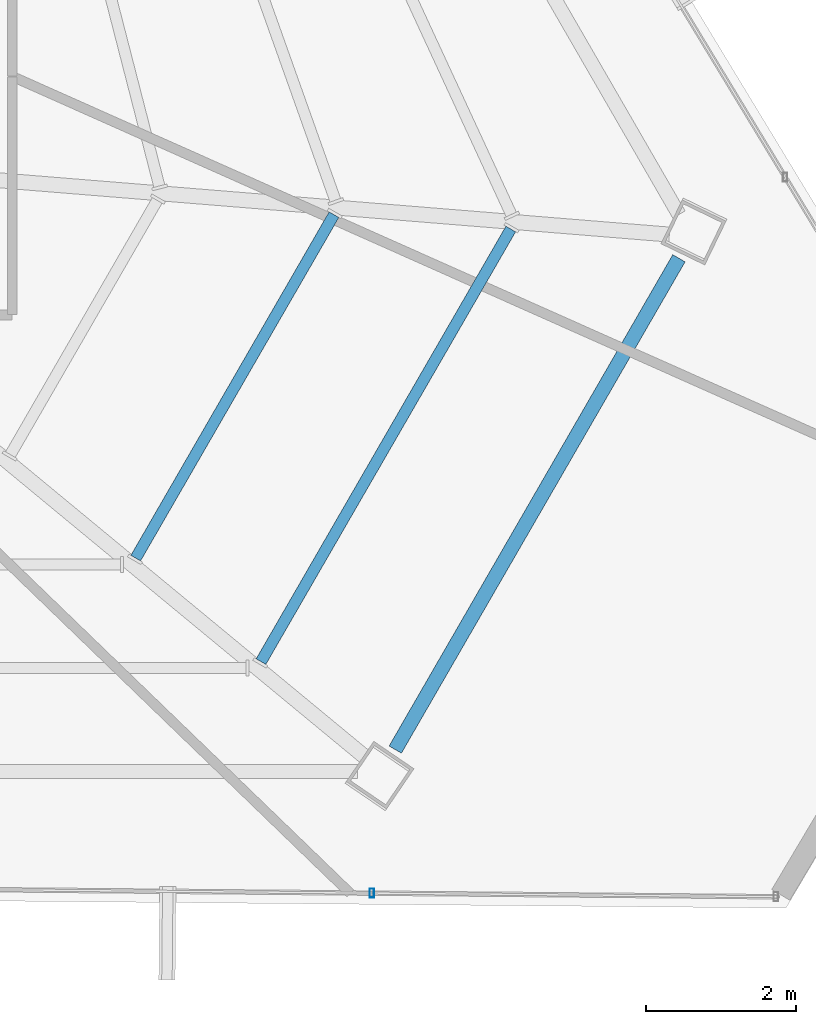
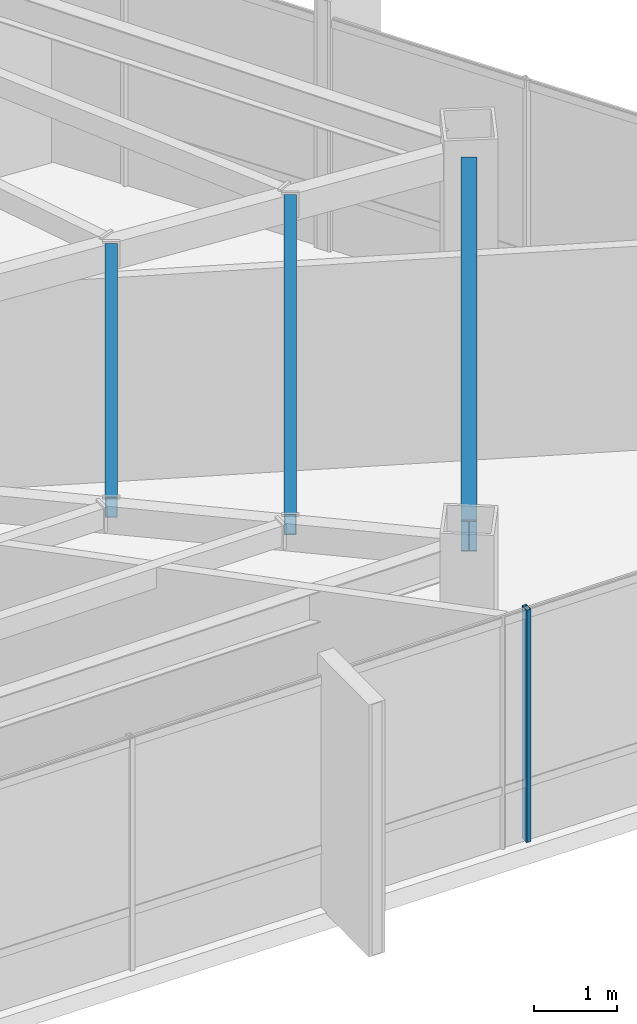
# One storey, part 21 of 45: 3 beams, 1 member, 1 element without a shape of its own.
"""IFC4 building model written with IfcOpenShell, lengths in metres."""

from ifc_helpers import new_model, si_unit, direction, frame, origin, origin_2d, place, context, subcontext, project, spatial, hollow_rectangle, i_section, extrude, source, transform, mapped, material, material_profile, profile_set, type_object, type_shapes, element, aggregate, save


model = new_model("IFC4")

# Units and contexts
model_context = context("Model", 3, precision=1e-05, world=origin(), true_north=direction((0.0, 1.0)))
body_context = subcontext(model_context, "Body", "Model", "MODEL_VIEW")
ifc_project = project(units=[si_unit("LENGTHUNIT", "METRE"), si_unit("AREAUNIT", "SQUARE_METRE"), si_unit("VOLUMEUNIT", "CUBIC_METRE"), si_unit("PLANEANGLEUNIT", "RADIAN"), si_unit("MASSUNIT", "GRAM", prefix="KILO")], contexts=[model_context])

# Site, building, storey
site_placement = place(None, origin())
site = spatial("IfcSite", under=ifc_project, at=site_placement, CompositionType="ELEMENT")
building_placement = place(site_placement, origin())
building = spatial("IfcBuilding", under=site, at=building_placement, Name="Caelisora Broadcast Tower", CompositionType="ELEMENT")
storey_placement = place(building_placement, frame((0.0, 0.0, 240.800048828125)))
storey = spatial("IfcBuildingStorey", under=building, at=storey_placement, Name="L63", CompositionType="ELEMENT", Elevation=240.800048828125)

# Beams
ifc_material_1 = material(Name="Steel Grade 350 (AS/NZS 3679.1)", Category="steel")
ifc_material_profile_1 = material_profile(ifc_material_1, i_section(OverallWidth=0.19091796875, OverallDepth=0.46044921875, WebThickness=0.010009765625, FlangeThickness=0.01611328125, at=origin_2d()), Name="Steel Grade 350 (AS/NZS 3679.1)")
ifc_profile_set_1 = profile_set([ifc_material_profile_1], Name="Steel Grade 350 (AS/NZS 3679.1)")
beam_type_1 = type_object("IfcBeamType", Name="PG06", PredefinedType="BEAM", material=ifc_profile_set_1)
shared_shape_1 = source(origin(), body_context, "Body", "SweptSolid", [
    extrude(i_section(OverallWidth=0.19091796875, OverallDepth=0.46044921875, WebThickness=0.010009765625, FlangeThickness=0.01611328125, at=origin_2d()), origin(), (0.0, 0.0, 1.0), 7.5869140625),
])
type_shapes(beam_type_1, [shared_shape_1])
beam_1_placement = place(storey_placement, frame((55.721923828125, 9.387939453125, 3.169677734375), z_axis=(0.499994502366, 0.866028577821, 0.0), x_axis=(-0.866028577821, 0.499994502366, 0.0)))
element("IfcBeam", 1, at=beam_1_placement, inside=storey, type_object=beam_type_1, Name="L63 beam PG06", PredefinedType="BEAM", context=body_context, shape_type="MappedRepresentation", body=[
    mapped(shared_shape_1, transform((0.0, 0.0, 0.0), scale=1.0)),
])
ifc_material_2 = material(Name="Steel Grade 350 (AS/NZS 1163 C350L0)", Category="steel")
ifc_material_profile_2 = material_profile(ifc_material_2, hollow_rectangle(XDim=0.14990234375, YDim=0.300048828125, WallThickness=0.010009765625, at=origin_2d()), Name="Steel Grade 350 (AS/NZS 1163 C350L0)")
ifc_profile_set_2 = profile_set([ifc_material_profile_2], Name="Steel Grade 350 (AS/NZS 1163 C350L0)")
beam_type_2 = type_object("IfcBeamType", Name="SB05", PredefinedType="JOIST", material=ifc_profile_set_2)
shared_shape_2 = source(origin(), body_context, "Body", "SweptSolid", [
    extrude(hollow_rectangle(XDim=0.14990234375, YDim=0.300048828125, WallThickness=0.010009765625, at=origin_2d()), origin(), (0.0, 0.0, 1.0), 5.302490234375),
])
beam_2_placement = place(storey_placement, frame((52.251220703125, 11.94873046875, 3.25), z_axis=(0.499986835638, 0.866033004099, 0.0), x_axis=(-0.866033004099, 0.499986835638, 0.0)))
element("IfcBeam", 2, at=beam_2_placement, inside=storey, type_object=beam_type_2, Name="L63 beam SB05", PredefinedType="JOIST", context=body_context, shape_type="MappedRepresentation", body=[
    mapped(shared_shape_2, transform((0.0, 0.0, 0.0), scale=1.0)),
])
shared_shape_3 = source(origin(), body_context, "Body", "SweptSolid", [
    extrude(hollow_rectangle(XDim=0.14990234375, YDim=0.300048828125, WallThickness=0.010009765625, at=origin_2d()), origin(), (0.0, 0.0, 1.0), 6.6796875),
])
type_shapes(beam_type_2, [shared_shape_2, shared_shape_3])
beam_3_placement = place(storey_placement, frame((53.926513671875, 10.564697265625, 3.25), z_axis=(0.500034613552, 0.866005418719, 0.0), x_axis=(-0.866005418719, 0.500034613552, 0.0)))
element("IfcBeam", 3, at=beam_3_placement, inside=storey, type_object=beam_type_2, Name="L63 beam SB05", PredefinedType="JOIST", context=body_context, shape_type="MappedRepresentation", body=[
    mapped(shared_shape_3, transform((0.0, 0.0, 0.0), scale=1.0)),
])

# Curtain wall, member
ifc_material_3 = material(Name="Unitised Aluminium and Low-E Glass Curtain Wall", Category="glass")
curtain_wall_type = type_object("IfcCurtainWallType", Name="CW-Z5", PredefinedType="NOTDEFINED", material=ifc_material_3)
curtain_wall_placement = place(storey_placement, origin())
curtain_wall = element("IfcCurtainWall", 4, at=curtain_wall_placement, inside=storey, type_object=curtain_wall_type, Name="L63 curtain wall CW-Z5", PredefinedType="NOTDEFINED")
ifc_material_4 = material(Name="Aluminium 6063-T6 Anodised Terracotta Bronze", Category="aluminium")
ifc_material_profile_3 = material_profile(ifc_material_4, hollow_rectangle(XDim=0.06005859375, YDim=0.1201171875, WallThickness=0.0029296875, at=origin_2d()), Name="Aluminium 6063-T6 Anodised Terracotta Bronze")
ifc_profile_set_3 = profile_set([ifc_material_profile_3], Name="Aluminium 6063-T6 Anodised Terracotta Bronze")
member_type = type_object("IfcMemberType", Name="CWM-04", PredefinedType="MULLION", material=ifc_profile_set_3)
shared_shape_4 = source(origin(), body_context, "Body", "SweptSolid", [
    extrude(hollow_rectangle(XDim=0.06005859375, YDim=0.1201171875, WallThickness=0.0029296875, at=origin_2d()), origin(), (0.0, 0.0, 1.0), 3.39990234375),
])
type_shapes(member_type, [shared_shape_4])
member_placement = place(storey_placement, frame((55.408447265625, 7.468994140625, 0.0), z_axis=(0.0, 0.0, 1.0), x_axis=(1.0, 0.0, 0.0)))
member = element("IfcMember", 5, at=member_placement, type_object=member_type, Name="L63-CW-B05 mullion #1", PredefinedType="MULLION", context=body_context, shape_type="MappedRepresentation", body=[
    mapped(shared_shape_4, transform((0.0, 0.0, 0.0), scale=1.0)),
])
aggregate(curtain_wall, [member])

save(model, "model.ifc")
